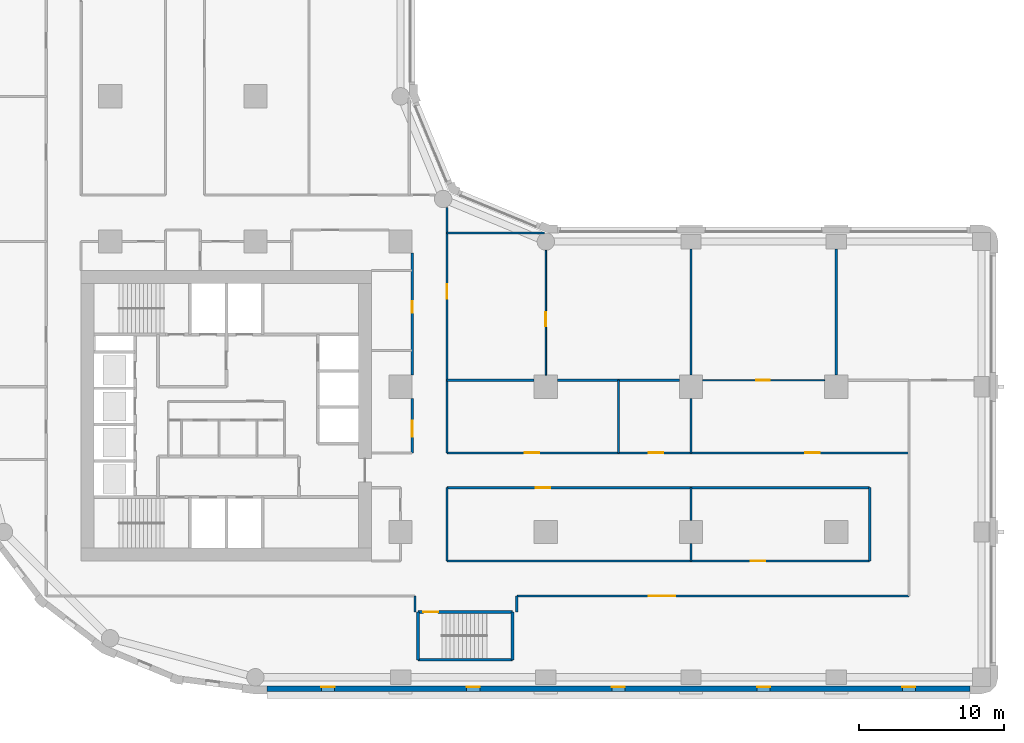
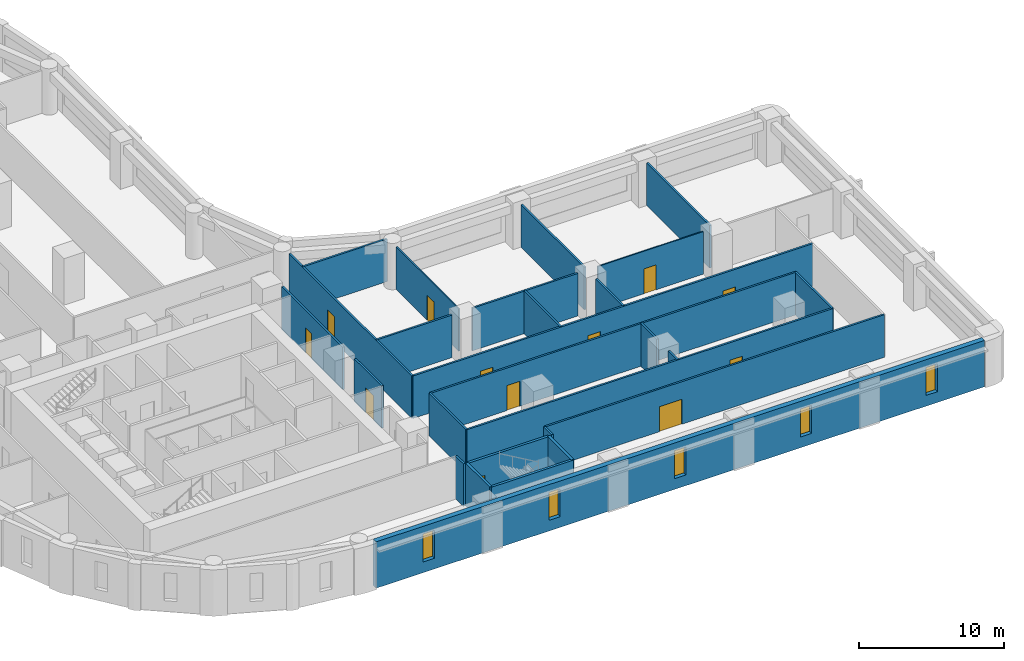
# One storey, part 4 of 10: 27 walls, 12 doors, 5 windows, 17 openings.
"""IFC4 building model written with IfcOpenShell, lengths in metres."""

from ifc_helpers import new_model, si_unit, direction, frame, frame_2d, origin, place, context, subcontext, project, spatial, rectangle, extrude, material, layer, layer_set, type_object, element, fill, save


model = new_model("IFC4")

# Units and contexts
model_context = context("Model", 3, precision=1e-05, world=origin(), true_north=direction((0.0, 1.0)))
body_context = subcontext(model_context, "Body", "Model", "MODEL_VIEW")
ifc_project = project(units=[si_unit("LENGTHUNIT", "METRE"), si_unit("AREAUNIT", "SQUARE_METRE"), si_unit("VOLUMEUNIT", "CUBIC_METRE"), si_unit("PLANEANGLEUNIT", "RADIAN"), si_unit("MASSUNIT", "GRAM", prefix="KILO")], contexts=[model_context])

# Site, building, storey
site_placement = place(None, origin())
site = spatial("IfcSite", under=ifc_project, at=site_placement, CompositionType="ELEMENT")
building_placement = place(site_placement, origin())
building = spatial("IfcBuilding", under=site, at=building_placement, Name="Qaws Garden Tower", CompositionType="ELEMENT")
storey_placement = place(building_placement, frame((0.0, 0.0, 70.5)))
storey = spatial("IfcBuildingStorey", under=building, at=storey_placement, Name="L17", CompositionType="ELEMENT", Elevation=70.5)

# Wall, openings, windows
ifc_material_1 = material(Name="Clay facing brick masonry", Category="masonry")
ifc_layer_1 = layer(ifc_material_1, 0.39990234375)
ifc_layer_set_1 = layer_set([ifc_layer_1], Name="Clay facing brick masonry")
wall_type_1 = type_object("IfcWallType", Name="Brick infill wall 400", PredefinedType="SOLIDWALL", material=ifc_layer_set_1)
wall_1_placement = place(storey_placement, frame((20.800048828125, -0.800048828125, 0.0), z_axis=(0.0, 0.0, 1.0), x_axis=(1.0, 0.0, 0.0)))
wall_1 = element("IfcWall", 1, at=wall_1_placement, inside=storey, type_object=wall_type_1, Name="E-L17-infill-00", PredefinedType="SOLIDWALL", context=body_context, shape_type="SweptSolid", body=[
    extrude(rectangle(XDim=48.39990234375, YDim=0.39990234375, at=frame_2d((24.199951171875, 0.0))), origin(), (0.0, 0.0, 1.0), 3.89990234375),
])
opening_1_placement = place(wall_1_placement, frame((3.75, 0.0, 0.89990234375)))
opening_1 = element("IfcOpeningElement", 2, at=opening_1_placement, cuts=wall_1, Name="Opening W09", PredefinedType="OPENING", context=body_context, shape_type="SweptSolid", body=[
    extrude(rectangle(XDim=0.89990234375, YDim=2.35009765625, at=frame_2d((0.449951171875, 1.175048828125))), frame((0.0, 0.2099609375, 0.0), z_axis=(0.0, -1.0, 0.0), x_axis=(1.0, 0.0, 0.0)), (0.0, 0.0, 1.0), 0.419921875),
])
opening_2_placement = place(wall_1_placement, frame((13.75, 0.0, 0.89990234375)))
opening_2 = element("IfcOpeningElement", 3, at=opening_2_placement, cuts=wall_1, Name="Opening W09", PredefinedType="OPENING", context=body_context, shape_type="SweptSolid", body=[
    extrude(rectangle(XDim=0.89990234375, YDim=2.35009765625, at=frame_2d((0.449951171875, 1.175048828125))), frame((0.0, 0.2099609375, 0.0), z_axis=(0.0, -1.0, 0.0), x_axis=(1.0, 0.0, 0.0)), (0.0, 0.0, 1.0), 0.419921875),
])
opening_3_placement = place(wall_1_placement, frame((23.75, 0.0, 0.89990234375)))
opening_3 = element("IfcOpeningElement", 4, at=opening_3_placement, cuts=wall_1, Name="Opening W09", PredefinedType="OPENING", context=body_context, shape_type="SweptSolid", body=[
    extrude(rectangle(XDim=0.89990234375, YDim=2.35009765625, at=frame_2d((0.449951171875, 1.175048828125))), frame((0.0, 0.2099609375, 0.0), z_axis=(0.0, -1.0, 0.0), x_axis=(1.0, 0.0, 0.0)), (0.0, 0.0, 1.0), 0.419921875),
])
opening_4_placement = place(wall_1_placement, frame((33.75, 0.0, 0.89990234375)))
opening_4 = element("IfcOpeningElement", 5, at=opening_4_placement, cuts=wall_1, Name="Opening W09", PredefinedType="OPENING", context=body_context, shape_type="SweptSolid", body=[
    extrude(rectangle(XDim=0.89990234375, YDim=2.35009765625, at=frame_2d((0.449951171875, 1.175048828125))), frame((0.0, 0.2099609375, 0.0), z_axis=(0.0, -1.0, 0.0), x_axis=(1.0, 0.0, 0.0)), (0.0, 0.0, 1.0), 0.419921875),
])
opening_5_placement = place(wall_1_placement, frame((43.75, 0.0, 0.89990234375)))
opening_5 = element("IfcOpeningElement", 6, at=opening_5_placement, cuts=wall_1, Name="Opening W09", PredefinedType="OPENING", context=body_context, shape_type="SweptSolid", body=[
    extrude(rectangle(XDim=0.89990234375, YDim=2.35009765625, at=frame_2d((0.449951171875, 1.175048828125))), frame((0.0, 0.2099609375, 0.0), z_axis=(0.0, -1.0, 0.0), x_axis=(1.0, 0.0, 0.0)), (0.0, 0.0, 1.0), 0.419921875),
])
ifc_material_2 = material(Name="Aluminium framed window, clear glazing", Category="aluminium")
window_type = type_object("IfcWindowType", Name="Slit window 900 x 2350", PartitioningType="SINGLE_PANEL", PredefinedType="WINDOW", material=ifc_material_2)
window_1_placement = place(opening_1_placement, origin())
window_1 = element("IfcWindow", 7, at=window_1_placement, inside=storey, type_object=window_type, Name="E-L17-window-00-0", OverallHeight=2.35009765625, OverallWidth=0.89990234375, PartitioningType="SINGLE_PANEL", PredefinedType="WINDOW", context=body_context, shape_type="SweptSolid", body=[
    extrude(rectangle(XDim=0.89990234375, YDim=2.35009765625, at=frame_2d((0.449951171875, 1.175048828125))), frame((0.0, 0.159912109375, 0.0), z_axis=(0.0, -1.0, 0.0), x_axis=(1.0, 0.0, 0.0)), (0.0, 0.0, 1.0), 0.06005859375),
])
fill(opening_1, window_1)
window_2_placement = place(opening_2_placement, origin())
window_2 = element("IfcWindow", 8, at=window_2_placement, inside=storey, type_object=window_type, Name="E-L17-window-01-0", OverallHeight=2.35009765625, OverallWidth=0.89990234375, PartitioningType="SINGLE_PANEL", PredefinedType="WINDOW", context=body_context, shape_type="SweptSolid", body=[
    extrude(rectangle(XDim=0.89990234375, YDim=2.35009765625, at=frame_2d((0.449951171875, 1.175048828125))), frame((0.0, 0.159912109375, 0.0), z_axis=(0.0, -1.0, 0.0), x_axis=(1.0, 0.0, 0.0)), (0.0, 0.0, 1.0), 0.06005859375),
])
fill(opening_2, window_2)
window_3_placement = place(opening_3_placement, origin())
window_3 = element("IfcWindow", 9, at=window_3_placement, inside=storey, type_object=window_type, Name="E-L17-window-02-0", OverallHeight=2.35009765625, OverallWidth=0.89990234375, PartitioningType="SINGLE_PANEL", PredefinedType="WINDOW", context=body_context, shape_type="SweptSolid", body=[
    extrude(rectangle(XDim=0.89990234375, YDim=2.35009765625, at=frame_2d((0.449951171875, 1.175048828125))), frame((0.0, 0.159912109375, 0.0), z_axis=(0.0, -1.0, 0.0), x_axis=(1.0, 0.0, 0.0)), (0.0, 0.0, 1.0), 0.06005859375),
])
fill(opening_3, window_3)
window_4_placement = place(opening_4_placement, origin())
window_4 = element("IfcWindow", 10, at=window_4_placement, inside=storey, type_object=window_type, Name="E-L17-window-03-0", OverallHeight=2.35009765625, OverallWidth=0.89990234375, PartitioningType="SINGLE_PANEL", PredefinedType="WINDOW", context=body_context, shape_type="SweptSolid", body=[
    extrude(rectangle(XDim=0.89990234375, YDim=2.35009765625, at=frame_2d((0.449951171875, 1.175048828125))), frame((0.0, 0.159912109375, 0.0), z_axis=(0.0, -1.0, 0.0), x_axis=(1.0, 0.0, 0.0)), (0.0, 0.0, 1.0), 0.06005859375),
])
fill(opening_4, window_4)
window_5_placement = place(opening_5_placement, origin())
window_5 = element("IfcWindow", 11, at=window_5_placement, inside=storey, type_object=window_type, Name="E-L17-window-04-0", OverallHeight=2.35009765625, OverallWidth=0.89990234375, PartitioningType="SINGLE_PANEL", PredefinedType="WINDOW", context=body_context, shape_type="SweptSolid", body=[
    extrude(rectangle(XDim=0.89990234375, YDim=2.35009765625, at=frame_2d((0.449951171875, 1.175048828125))), frame((0.0, 0.159912109375, 0.0), z_axis=(0.0, -1.0, 0.0), x_axis=(1.0, 0.0, 0.0)), (0.0, 0.0, 1.0), 0.06005859375),
])
fill(opening_5, window_5)

# Wall
ifc_material_3 = material(Name="Concrete C80", Category="concrete")
ifc_layer_2 = layer(ifc_material_3, 0.199951171875)
ifc_layer_set_2 = layer_set([ifc_layer_2], Name="Concrete C80")
wall_type_2 = type_object("IfcWallType", Name="Core shaft wall 200 C80", PredefinedType="SHEAR", material=ifc_layer_set_2)
wall_2_placement = place(storey_placement, frame((31.199951171875, 1.199951171875, 0.0), z_axis=(0.0, 0.0, 1.0), x_axis=(1.0, 0.0, 0.0)))
element("IfcWall", 12, at=wall_2_placement, inside=storey, type_object=wall_type_2, Name="Shaft wall", PredefinedType="SHEAR", context=body_context, shape_type="SweptSolid", body=[
    extrude(rectangle(XDim=6.5, YDim=0.199951171875, at=frame_2d((3.25, 0.0))), origin(), (0.0, 0.0, 1.0), 3.580078125),
])

# Wall, opening, door
wall_3_placement = place(storey_placement, frame((31.199951171875, 4.5, 0.0), z_axis=(0.0, 0.0, 1.0), x_axis=(1.0, 0.0, 0.0)))
wall_3 = element("IfcWall", 13, at=wall_3_placement, inside=storey, type_object=wall_type_2, Name="Shaft wall", PredefinedType="SHEAR", context=body_context, shape_type="SweptSolid", body=[
    extrude(rectangle(XDim=6.5, YDim=0.199951171875, at=frame_2d((3.25, 0.0))), origin(), (0.0, 0.0, 1.0), 3.580078125),
])
opening_6_placement = place(wall_3_placement, frame((0.375, 0.0, 0.0)))
opening_6 = element("IfcOpeningElement", 14, at=opening_6_placement, cuts=wall_3, Name="Opening SD12", PredefinedType="OPENING", context=body_context, shape_type="SweptSolid", body=[
    extrude(rectangle(XDim=1.0, YDim=2.10009765625, at=frame_2d((0.5, 1.050048828125))), frame((0.0, 0.10986328125, 0.0), z_axis=(0.0, -1.0, 0.0), x_axis=(1.0, 0.0, 0.0)), (0.0, 0.0, 1.0), 0.219970703125),
])
ifc_material_4 = material(Name="Steel S235", Category="steel")
door_type_1 = type_object("IfcDoorType", Name="Stair door 1000x2100", OperationType="SINGLE_SWING_RIGHT", PredefinedType="DOOR", material=ifc_material_4)
door_1_placement = place(opening_6_placement, frame((1.0, 0.0, 0.0), z_axis=(0.0, 0.0, 1.0), x_axis=(-1.0, 0.0, 0.0)))
door_1 = element("IfcDoor", 15, at=door_1_placement, inside=storey, type_object=door_type_1, Name="Stair 5 door", OperationType="SINGLE_SWING_RIGHT", OverallHeight=2.10009765625, OverallWidth=1.0, PredefinedType="DOOR", context=body_context, shape_type="SweptSolid", body=[
    extrude(rectangle(XDim=1.0, YDim=2.10009765625, at=frame_2d((0.5, 1.050048828125))), frame((0.0, 0.02490234375, 0.0), z_axis=(0.0, -1.0, 0.0), x_axis=(1.0, 0.0, 0.0)), (0.0, 0.0, 1.0), 0.050048828125),
])
fill(opening_6, door_1)

# Walls
for number, where, z_axis, x_axis, name in (
    (16, (31.199951171875, 1.199951171875, 0.0), (0.0, 0.0, 1.0), (0.0, 1.0, 0.0), "Shaft wall"),
    (17, (37.699951171875, 1.199951171875, 0.0), (0.0, 0.0, 1.0), (0.0, 1.0, 0.0), "Shaft wall"),
):
    element("IfcWall", number, at=place(storey_placement, frame(where, z_axis=z_axis, x_axis=x_axis)), inside=storey, type_object=wall_type_2, Name=name, PredefinedType="SHEAR", context=body_context, shape_type="SweptSolid", body=[
        extrude(rectangle(XDim=3.300048828125, YDim=0.199951171875, at=frame_2d((1.64990234375, 0.0))), origin(), (0.0, 0.0, 1.0), 3.580078125),
    ])

# Wall, opening, door
ifc_material_5 = material(Name="Gypsum board partition")
ifc_layer_3 = layer(ifc_material_5, 0.10009765625)
ifc_layer_set_3 = layer_set([ifc_layer_3], Name="Gypsum board partition")
wall_type_3 = type_object("IfcWallType", Name="PARTITION 100", PredefinedType="PARTITIONING", material=ifc_layer_set_3)
wall_4_placement = place(storey_placement, frame((40.0, 20.800048828125, 0.0), z_axis=(0.0, 0.0, 1.0), x_axis=(0.0, 1.0, 0.0)))
wall_4 = element("IfcWall", 18, at=wall_4_placement, inside=storey, type_object=wall_type_3, Name="O-L17-wall-001", PredefinedType="PARTITIONING", context=body_context, shape_type="SweptSolid", body=[
    extrude(rectangle(XDim=8.599853515625, YDim=0.10009765625, at=frame_2d((4.2998046875, 0.0))), origin(), (0.0, 0.0, 1.0), 3.580078125),
])
opening_7_placement = place(wall_4_placement, frame((3.375, 0.0, 0.0)))
opening_7 = element("IfcOpeningElement", 19, at=opening_7_placement, cuts=wall_4, Name="Opening A626", PredefinedType="OPENING", context=body_context, shape_type="SweptSolid", body=[
    extrude(rectangle(XDim=0.949951171875, YDim=2.10009765625, at=frame_2d((0.47509765625, 1.050048828125))), frame((0.0, 0.06005859375, 0.0), z_axis=(0.0, -1.0, 0.0), x_axis=(1.0, 0.0, 0.0)), (0.0, 0.0, 1.0), 0.1201171875),
])
ifc_material_6 = material(Name="Timber and glass door leaf", Category="wood")
door_type_2 = type_object("IfcDoorType", Name="GLAZED DOOR 950 X 2100", OperationType="SINGLE_SWING_LEFT", PredefinedType="DOOR", material=ifc_material_6)
door_2_placement = place(opening_7_placement, origin())
door_2 = element("IfcDoor", 20, at=door_2_placement, inside=storey, type_object=door_type_2, Name="O-L17-door-026", OperationType="SINGLE_SWING_RIGHT", OverallHeight=2.10009765625, OverallWidth=0.949951171875, PredefinedType="DOOR", context=body_context, shape_type="SweptSolid", body=[
    extrude(rectangle(XDim=0.949951171875, YDim=2.10009765625, at=frame_2d((0.47509765625, 1.050048828125))), frame((0.0, 0.02490234375, 0.0), z_axis=(0.0, -1.0, 0.0), x_axis=(1.0, 0.0, 0.0)), (0.0, 0.0, 1.0), 0.050048828125),
])
fill(opening_7, door_2)

wall_5_placement = place(storey_placement, frame((50.800048828125, 20.449951171875, 0.0), z_axis=(0.0, 0.0, 1.0), x_axis=(1.0, 0.0, 0.0)))
wall_5 = element("IfcWall", 21, at=wall_5_placement, inside=storey, type_object=wall_type_3, Name="O-L17-wall-002", PredefinedType="PARTITIONING", context=body_context, shape_type="SweptSolid", body=[
    extrude(rectangle(XDim=8.39990234375, YDim=0.10009765625, at=frame_2d((4.199951171875, 0.0))), origin(), (0.0, 0.0, 1.0), 3.580078125),
])
opening_8_placement = place(wall_5_placement, frame((3.675048828125, 0.0, 0.0)))
opening_8 = element("IfcOpeningElement", 22, at=opening_8_placement, cuts=wall_5, Name="Opening A627", PredefinedType="OPENING", context=body_context, shape_type="SweptSolid", body=[
    extrude(rectangle(XDim=0.949951171875, YDim=2.10009765625, at=frame_2d((0.47509765625, 1.050048828125))), frame((0.0, 0.06005859375, 0.0), z_axis=(0.0, -1.0, 0.0), x_axis=(1.0, 0.0, 0.0)), (0.0, 0.0, 1.0), 0.1201171875),
])
door_3_placement = place(opening_8_placement, frame((0.949951171875, 0.0, 0.0), z_axis=(0.0, 0.0, 1.0), x_axis=(-1.0, 0.0, 0.0)))
door_3 = element("IfcDoor", 23, at=door_3_placement, inside=storey, type_object=door_type_2, Name="O-L17-door-027", OperationType="SINGLE_SWING_RIGHT", OverallHeight=2.10009765625, OverallWidth=0.949951171875, PredefinedType="DOOR", context=body_context, shape_type="SweptSolid", body=[
    extrude(rectangle(XDim=0.949951171875, YDim=2.10009765625, at=frame_2d((0.47509765625, 1.050048828125))), frame((0.0, 0.02490234375, 0.0), z_axis=(0.0, -1.0, 0.0), x_axis=(1.0, 0.0, 0.0)), (0.0, 0.0, 1.0), 0.050048828125),
])
fill(opening_8, door_3)

ifc_material_7 = material(Name="Gypsum board partition")
ifc_layer_4 = layer(ifc_material_7, 0.14990234375)
ifc_layer_set_4 = layer_set([ifc_layer_4], Name="Gypsum board partition")
wall_type_4 = type_object("IfcWallType", Name="PARTITION 150 EI 60", PredefinedType="PARTITIONING", material=ifc_layer_set_4)
wall_6_placement = place(storey_placement, frame((30.800048828125, 15.449951171875, 0.0), z_axis=(0.0, 0.0, 1.0), x_axis=(0.0, 1.0, 0.0)))
wall_6 = element("IfcWall", 24, at=wall_6_placement, inside=storey, type_object=wall_type_4, Name="O-L17-wall-019", PredefinedType="PARTITIONING", context=body_context, shape_type="SweptSolid", body=[
    extrude(rectangle(XDim=3.75, YDim=0.14990234375, at=frame_2d((1.875, 0.0))), origin(), (0.0, 0.0, 1.0), 3.580078125),
])
opening_9_placement = place(wall_6_placement, frame((1.10009765625, 0.0, 0.0)))
opening_9 = element("IfcOpeningElement", 25, at=opening_9_placement, cuts=wall_6, Name="Opening A607", PredefinedType="OPENING", context=body_context, shape_type="SweptSolid", body=[
    extrude(rectangle(XDim=1.10009765625, YDim=2.10009765625, at=frame_2d((0.550048828125, 1.050048828125))), frame((0.0, 0.0849609375, 0.0), z_axis=(0.0, -1.0, 0.0), x_axis=(1.0, 0.0, 0.0)), (0.0, 0.0, 1.0), 0.169921875),
])
ifc_material_8 = material(Name="Timber door leaf", Category="wood")
door_type_3 = type_object("IfcDoorType", Name="SERVICE ROOM DOOR 1100 X 2100", OperationType="SINGLE_SWING_LEFT", PredefinedType="DOOR", material=ifc_material_8)
door_4_placement = place(opening_9_placement, origin())
door_4 = element("IfcDoor", 26, at=door_4_placement, inside=storey, type_object=door_type_3, Name="O-L17-door-007", OperationType="SINGLE_SWING_LEFT", OverallHeight=2.10009765625, OverallWidth=1.10009765625, PredefinedType="DOOR", context=body_context, shape_type="SweptSolid", body=[
    extrude(rectangle(XDim=1.10009765625, YDim=2.10009765625, at=frame_2d((0.550048828125, 1.050048828125))), frame((0.0, 0.02490234375, 0.0), z_axis=(0.0, -1.0, 0.0), x_axis=(1.0, 0.0, 0.0)), (0.0, 0.0, 1.0), 0.050048828125),
])
fill(opening_9, door_4)

wall_7_placement = place(storey_placement, frame((30.800048828125, 20.800048828125, 0.0), z_axis=(0.0, 0.0, 1.0), x_axis=(0.0, 1.0, 0.0)))
wall_7 = element("IfcWall", 27, at=wall_7_placement, inside=storey, type_object=wall_type_4, Name="O-L17-wall-020", PredefinedType="PARTITIONING", context=body_context, shape_type="SweptSolid", body=[
    extrude(rectangle(XDim=8.39990234375, YDim=0.14990234375, at=frame_2d((4.199951171875, 0.0))), origin(), (0.0, 0.0, 1.0), 3.580078125),
])
opening_10_placement = place(wall_7_placement, frame((4.300048828125, 0.0, 0.0)))
opening_10 = element("IfcOpeningElement", 28, at=opening_10_placement, cuts=wall_7, Name="Opening A608", PredefinedType="OPENING", context=body_context, shape_type="SweptSolid", body=[
    extrude(rectangle(XDim=0.800048828125, YDim=2.10009765625, at=frame_2d((0.39990234375, 1.050048828125))), frame((0.0, 0.0849609375, 0.0), z_axis=(0.0, -1.0, 0.0), x_axis=(1.0, 0.0, 0.0)), (0.0, 0.0, 1.0), 0.169921875),
])
ifc_material_9 = material(Name="Timber door leaf", Category="wood")
door_type_4 = type_object("IfcDoorType", Name="STORE DOOR 800 X 2100", OperationType="SINGLE_SWING_LEFT", PredefinedType="DOOR", material=ifc_material_9)
door_5_placement = place(opening_10_placement, origin())
door_5 = element("IfcDoor", 29, at=door_5_placement, inside=storey, type_object=door_type_4, Name="O-L17-door-008", OperationType="SINGLE_SWING_RIGHT", OverallHeight=2.10009765625, OverallWidth=0.800048828125, PredefinedType="DOOR", context=body_context, shape_type="SweptSolid", body=[
    extrude(rectangle(XDim=0.800048828125, YDim=2.10009765625, at=frame_2d((0.39990234375, 1.050048828125))), frame((0.0, 0.02490234375, 0.0), z_axis=(0.0, -1.0, 0.0), x_axis=(1.0, 0.0, 0.0)), (0.0, 0.0, 1.0), 0.050048828125),
])
fill(opening_10, door_5)

# Walls
wall_8_placement = place(storey_placement, frame((31.0, 4.5, 0.0), z_axis=(0.0, 0.0, 1.0), x_axis=(0.0, 1.0, 0.0)))
element("IfcWall", 30, at=wall_8_placement, inside=storey, type_object=wall_type_4, Name="O-L17-wall-021", PredefinedType="PARTITIONING", context=body_context, shape_type="SweptSolid", body=[
    extrude(rectangle(XDim=1.10009765625, YDim=0.14990234375, at=frame_2d((0.550048828125, 0.0))), origin(), (0.0, 0.0, 1.0), 3.580078125),
])
wall_9_placement = place(storey_placement, frame((33.199951171875, 8.0, 0.0), z_axis=(0.0, 0.0, 1.0), x_axis=(0.0, 1.0, 0.0)))
element("IfcWall", 31, at=wall_9_placement, inside=storey, type_object=wall_type_4, Name="O-L17-wall-022", PredefinedType="PARTITIONING", context=body_context, shape_type="SweptSolid", body=[
    extrude(rectangle(XDim=5.050048828125, YDim=0.14990234375, at=frame_2d((2.52490234375, 0.0))), origin(), (0.0, 0.0, 1.0), 3.580078125),
])

# Wall, opening, door
wall_10_placement = place(storey_placement, frame((33.199951171875, 15.449951171875, 0.0), z_axis=(0.0, 0.0, 1.0), x_axis=(0.0, 1.0, 0.0)))
wall_10 = element("IfcWall", 32, at=wall_10_placement, inside=storey, type_object=wall_type_4, Name="O-L17-wall-023", PredefinedType="PARTITIONING", context=body_context, shape_type="SweptSolid", body=[
    extrude(rectangle(XDim=16.912109375, YDim=0.14990234375, at=frame_2d((8.4560546875, 0.0))), origin(), (0.0, 0.0, 1.0), 3.580078125),
])
opening_11_placement = place(wall_10_placement, frame((10.60009765625, 0.0, 0.0)))
opening_11 = element("IfcOpeningElement", 33, at=opening_11_placement, cuts=wall_10, Name="Opening A605", PredefinedType="OPENING", context=body_context, shape_type="SweptSolid", body=[
    extrude(rectangle(XDim=1.0, YDim=2.10009765625, at=frame_2d((0.5, 1.050048828125))), frame((0.0, 0.0849609375, 0.0), z_axis=(0.0, -1.0, 0.0), x_axis=(1.0, 0.0, 0.0)), (0.0, 0.0, 1.0), 0.169921875),
])
ifc_material_10 = material(Name="Timber door leaf", Category="wood")
door_type_5 = type_object("IfcDoorType", Name="TENANCY ENTRANCE DOOR 1000 X 2100", OperationType="SINGLE_SWING_LEFT", PredefinedType="DOOR", material=ifc_material_10)
door_6_placement = place(opening_11_placement, frame((1.0, 0.0, 0.0), z_axis=(0.0, 0.0, 1.0), x_axis=(-1.0, 0.0, 0.0)))
door_6 = element("IfcDoor", 34, at=door_6_placement, inside=storey, type_object=door_type_5, Name="O-L17-door-005", OperationType="SINGLE_SWING_LEFT", OverallHeight=2.10009765625, OverallWidth=1.0, PredefinedType="DOOR", context=body_context, shape_type="SweptSolid", body=[
    extrude(rectangle(XDim=1.0, YDim=2.10009765625, at=frame_2d((0.5, 1.050048828125))), frame((0.0, 0.02490234375, 0.0), z_axis=(0.0, -1.0, 0.0), x_axis=(1.0, 0.0, 0.0)), (0.0, 0.0, 1.0), 0.050048828125),
])
fill(opening_11, door_6)

# Walls
wall_11_placement = place(storey_placement, frame((38.0, 4.5, 0.0), z_axis=(0.0, 0.0, 1.0), x_axis=(0.0, 1.0, 0.0)))
element("IfcWall", 35, at=wall_11_placement, inside=storey, type_object=wall_type_4, Name="O-L17-wall-024", PredefinedType="PARTITIONING", context=body_context, shape_type="SweptSolid", body=[
    extrude(rectangle(XDim=1.10009765625, YDim=0.14990234375, at=frame_2d((0.550048828125, 0.0))), origin(), (0.0, 0.0, 1.0), 3.580078125),
])
wall_12_placement = place(storey_placement, frame((45.0, 15.449951171875, 0.0), z_axis=(0.0, 0.0, 1.0), x_axis=(0.0, 1.0, 0.0)))
element("IfcWall", 36, at=wall_12_placement, inside=storey, type_object=wall_type_4, Name="O-L17-wall-025", PredefinedType="PARTITIONING", context=body_context, shape_type="SweptSolid", body=[
    extrude(rectangle(XDim=5.0, YDim=0.14990234375, at=frame_2d((2.5, 0.0))), origin(), (0.0, 0.0, 1.0), 3.580078125),
])
wall_13_placement = place(storey_placement, frame((50.0, 8.0, 0.0), z_axis=(0.0, 0.0, 1.0), x_axis=(0.0, 1.0, 0.0)))
element("IfcWall", 37, at=wall_13_placement, inside=storey, type_object=wall_type_4, Name="O-L17-wall-026", PredefinedType="PARTITIONING", context=body_context, shape_type="SweptSolid", body=[
    extrude(rectangle(XDim=1.199951171875, YDim=0.14990234375, at=frame_2d((0.60009765625, 0.0))), origin(), (0.0, 0.0, 1.0), 3.580078125),
])
wall_14_placement = place(storey_placement, frame((50.0, 10.800048828125, 0.0), z_axis=(0.0, 0.0, 1.0), x_axis=(0.0, 1.0, 0.0)))
element("IfcWall", 38, at=wall_14_placement, inside=storey, type_object=wall_type_4, Name="O-L17-wall-027", PredefinedType="PARTITIONING", context=body_context, shape_type="SweptSolid", body=[
    extrude(rectangle(XDim=2.25, YDim=0.14990234375, at=frame_2d((1.125, 0.0))), origin(), (0.0, 0.0, 1.0), 3.580078125),
])
wall_15_placement = place(storey_placement, frame((50.0, 15.449951171875, 0.0), z_axis=(0.0, 0.0, 1.0), x_axis=(0.0, 1.0, 0.0)))
element("IfcWall", 39, at=wall_15_placement, inside=storey, type_object=wall_type_4, Name="O-L17-wall-028", PredefinedType="PARTITIONING", context=body_context, shape_type="SweptSolid", body=[
    extrude(rectangle(XDim=3.75, YDim=0.14990234375, at=frame_2d((1.875, 0.0))), origin(), (0.0, 0.0, 1.0), 3.580078125),
])
for number, where, z_axis, x_axis, name in (
    (40, (50.0, 20.800048828125, 0.0), (0.0, 0.0, 1.0), (0.0, 1.0, 0.0), "O-L17-wall-029"),
    (41, (60.0, 20.800048828125, 0.0), (0.0, 0.0, 1.0), (0.0, 1.0, 0.0), "O-L17-wall-030"),
):
    element("IfcWall", number, at=place(storey_placement, frame(where, z_axis=z_axis, x_axis=x_axis)), inside=storey, type_object=wall_type_4, Name=name, PredefinedType="PARTITIONING", context=body_context, shape_type="SweptSolid", body=[
        extrude(rectangle(XDim=8.699951171875, YDim=0.14990234375, at=frame_2d((4.35009765625, 0.0))), origin(), (0.0, 0.0, 1.0), 3.580078125),
    ])
wall_16_placement = place(storey_placement, frame((62.300048828125, 8.0, 0.0), z_axis=(0.0, 0.0, 1.0), x_axis=(0.0, 1.0, 0.0)))
element("IfcWall", 42, at=wall_16_placement, inside=storey, type_object=wall_type_4, Name="O-L17-wall-031", PredefinedType="PARTITIONING", context=body_context, shape_type="SweptSolid", body=[
    extrude(rectangle(XDim=5.050048828125, YDim=0.14990234375, at=frame_2d((2.52490234375, 0.0))), origin(), (0.0, 0.0, 1.0), 3.580078125),
])

# Wall, opening, door
wall_17_placement = place(storey_placement, frame((38.0, 5.60009765625, 0.0), z_axis=(0.0, 0.0, 1.0), x_axis=(1.0, 0.0, 0.0)))
wall_17 = element("IfcWall", 43, at=wall_17_placement, inside=storey, type_object=wall_type_4, Name="O-L17-wall-034", PredefinedType="PARTITIONING", context=body_context, shape_type="SweptSolid", body=[
    extrude(rectangle(XDim=27.0, YDim=0.14990234375, at=frame_2d((13.5, 0.0))), origin(), (0.0, 0.0, 1.0), 3.580078125),
])
opening_12_placement = place(wall_17_placement, frame((9.10009765625, 0.0, 0.0)))
opening_12 = element("IfcOpeningElement", 44, at=opening_12_placement, cuts=wall_17, Name="Opening A622", PredefinedType="OPENING", context=body_context, shape_type="SweptSolid", body=[
    extrude(rectangle(XDim=1.800048828125, YDim=2.10009765625, at=frame_2d((0.89990234375, 1.050048828125))), frame((0.0, 0.0849609375, 0.0), z_axis=(0.0, -1.0, 0.0), x_axis=(1.0, 0.0, 0.0)), (0.0, 0.0, 1.0), 0.169921875),
])
ifc_material_11 = material(Name="Timber door leaf", Category="wood")
door_type_6 = type_object("IfcDoorType", Name="DOUBLE DOOR 1800 X 2100", OperationType="DOUBLE_DOOR_SINGLE_SWING", PredefinedType="DOOR", material=ifc_material_11)
door_7_placement = place(opening_12_placement, frame((1.800048828125, 0.0, 0.0), z_axis=(0.0, 0.0, 1.0), x_axis=(-1.0, 0.0, 0.0)))
door_7 = element("IfcDoor", 45, at=door_7_placement, inside=storey, type_object=door_type_6, Name="O-L17-door-022", OperationType="DOUBLE_DOOR_SINGLE_SWING", OverallHeight=2.10009765625, OverallWidth=1.800048828125, PredefinedType="DOOR", context=body_context, shape_type="SweptSolid", body=[
    extrude(rectangle(XDim=1.800048828125, YDim=2.10009765625, at=frame_2d((0.89990234375, 1.050048828125))), frame((0.0, 0.02490234375, 0.0), z_axis=(0.0, -1.0, 0.0), x_axis=(1.0, 0.0, 0.0)), (0.0, 0.0, 1.0), 0.050048828125),
])
fill(opening_12, door_7)

wall_18_placement = place(storey_placement, frame((33.199951171875, 8.0, 0.0), z_axis=(0.0, 0.0, 1.0), x_axis=(1.0, 0.0, 0.0)))
wall_18 = element("IfcWall", 46, at=wall_18_placement, inside=storey, type_object=wall_type_4, Name="O-L17-wall-036", PredefinedType="PARTITIONING", context=body_context, shape_type="SweptSolid", body=[
    extrude(rectangle(XDim=29.10009765625, YDim=0.14990234375, at=frame_2d((14.550048828125, 0.0))), origin(), (0.0, 0.0, 1.0), 3.580078125),
])
opening_13_placement = place(wall_18_placement, frame((20.89990234375, 0.0, 0.0)))
opening_13 = element("IfcOpeningElement", 47, at=opening_13_placement, cuts=wall_18, Name="Opening A624", PredefinedType="OPENING", context=body_context, shape_type="SweptSolid", body=[
    extrude(rectangle(XDim=1.0, YDim=2.10009765625, at=frame_2d((0.5, 1.050048828125))), frame((0.0, 0.0849609375, 0.0), z_axis=(0.0, -1.0, 0.0), x_axis=(1.0, 0.0, 0.0)), (0.0, 0.0, 1.0), 0.169921875),
])
door_8_placement = place(opening_13_placement, origin())
door_8 = element("IfcDoor", 48, at=door_8_placement, inside=storey, type_object=door_type_5, Name="O-L17-door-024", OperationType="SINGLE_SWING_LEFT", OverallHeight=2.10009765625, OverallWidth=1.0, PredefinedType="DOOR", context=body_context, shape_type="SweptSolid", body=[
    extrude(rectangle(XDim=1.0, YDim=2.10009765625, at=frame_2d((0.5, 1.050048828125))), frame((0.0, 0.02490234375, 0.0), z_axis=(0.0, -1.0, 0.0), x_axis=(1.0, 0.0, 0.0)), (0.0, 0.0, 1.0), 0.050048828125),
])
fill(opening_13, door_8)

wall_19_placement = place(storey_placement, frame((33.199951171875, 13.050048828125, 0.0), z_axis=(0.0, 0.0, 1.0), x_axis=(1.0, 0.0, 0.0)))
wall_19 = element("IfcWall", 49, at=wall_19_placement, inside=storey, type_object=wall_type_4, Name="O-L17-wall-038", PredefinedType="PARTITIONING", context=body_context, shape_type="SweptSolid", body=[
    extrude(rectangle(XDim=29.10009765625, YDim=0.14990234375, at=frame_2d((14.550048828125, 0.0))), origin(), (0.0, 0.0, 1.0), 3.580078125),
])
opening_14_placement = place(wall_19_placement, frame((6.10009765625, 0.0, 0.0)))
opening_14 = element("IfcOpeningElement", 50, at=opening_14_placement, cuts=wall_19, Name="Opening A623", PredefinedType="OPENING", context=body_context, shape_type="SweptSolid", body=[
    extrude(rectangle(XDim=1.0, YDim=2.10009765625, at=frame_2d((0.5, 1.050048828125))), frame((0.0, 0.0849609375, 0.0), z_axis=(0.0, -1.0, 0.0), x_axis=(1.0, 0.0, 0.0)), (0.0, 0.0, 1.0), 0.169921875),
])
door_9_placement = place(opening_14_placement, frame((1.0, 0.0, 0.0), z_axis=(0.0, 0.0, 1.0), x_axis=(-1.0, 0.0, 0.0)))
door_9 = element("IfcDoor", 51, at=door_9_placement, inside=storey, type_object=door_type_5, Name="O-L17-door-023", OperationType="SINGLE_SWING_RIGHT", OverallHeight=2.10009765625, OverallWidth=1.0, PredefinedType="DOOR", context=body_context, shape_type="SweptSolid", body=[
    extrude(rectangle(XDim=1.0, YDim=2.10009765625, at=frame_2d((0.5, 1.050048828125))), frame((0.0, 0.02490234375, 0.0), z_axis=(0.0, -1.0, 0.0), x_axis=(1.0, 0.0, 0.0)), (0.0, 0.0, 1.0), 0.050048828125),
])
fill(opening_14, door_9)

# Wall, openings, doors
wall_20_placement = place(storey_placement, frame((33.199951171875, 15.449951171875, 0.0), z_axis=(0.0, 0.0, 1.0), x_axis=(1.0, 0.0, 0.0)))
wall_20 = element("IfcWall", 52, at=wall_20_placement, inside=storey, type_object=wall_type_4, Name="O-L17-wall-041", PredefinedType="PARTITIONING", context=body_context, shape_type="SweptSolid", body=[
    extrude(rectangle(XDim=31.800048828125, YDim=0.14990234375, at=frame_2d((15.89990234375, 0.0))), origin(), (0.0, 0.0, 1.0), 3.580078125),
])
opening_15_placement = place(wall_20_placement, frame((13.89990234375, 0.0, 0.0)))
opening_15 = element("IfcOpeningElement", 53, at=opening_15_placement, cuts=wall_20, Name="Opening A603", PredefinedType="OPENING", context=body_context, shape_type="SweptSolid", body=[
    extrude(rectangle(XDim=1.0, YDim=2.10009765625, at=frame_2d((0.5, 1.050048828125))), frame((0.0, 0.0849609375, 0.0), z_axis=(0.0, -1.0, 0.0), x_axis=(1.0, 0.0, 0.0)), (0.0, 0.0, 1.0), 0.169921875),
])
opening_16_placement = place(wall_20_placement, frame((24.64990234375, 0.0, 0.0)))
opening_16 = element("IfcOpeningElement", 54, at=opening_16_placement, cuts=wall_20, Name="Opening A604", PredefinedType="OPENING", context=body_context, shape_type="SweptSolid", body=[
    extrude(rectangle(XDim=1.0, YDim=2.10009765625, at=frame_2d((0.5, 1.050048828125))), frame((0.0, 0.0849609375, 0.0), z_axis=(0.0, -1.0, 0.0), x_axis=(1.0, 0.0, 0.0)), (0.0, 0.0, 1.0), 0.169921875),
])
opening_17_placement = place(wall_20_placement, frame((5.35009765625, 0.0, 0.0)))
opening_17 = element("IfcOpeningElement", 55, at=opening_17_placement, cuts=wall_20, Name="Opening A625", PredefinedType="OPENING", context=body_context, shape_type="SweptSolid", body=[
    extrude(rectangle(XDim=1.0, YDim=2.10009765625, at=frame_2d((0.5, 1.050048828125))), frame((0.0, 0.0849609375, 0.0), z_axis=(0.0, -1.0, 0.0), x_axis=(1.0, 0.0, 0.0)), (0.0, 0.0, 1.0), 0.169921875),
])
door_10_placement = place(opening_15_placement, origin())
door_10 = element("IfcDoor", 56, at=door_10_placement, inside=storey, type_object=door_type_5, Name="O-L17-door-003", OperationType="SINGLE_SWING_LEFT", OverallHeight=2.10009765625, OverallWidth=1.0, PredefinedType="DOOR", context=body_context, shape_type="SweptSolid", body=[
    extrude(rectangle(XDim=1.0, YDim=2.10009765625, at=frame_2d((0.5, 1.050048828125))), frame((0.0, 0.02490234375, 0.0), z_axis=(0.0, -1.0, 0.0), x_axis=(1.0, 0.0, 0.0)), (0.0, 0.0, 1.0), 0.050048828125),
])
fill(opening_15, door_10)
door_11_placement = place(opening_16_placement, origin())
door_11 = element("IfcDoor", 57, at=door_11_placement, inside=storey, type_object=door_type_5, Name="O-L17-door-004", OperationType="SINGLE_SWING_LEFT", OverallHeight=2.10009765625, OverallWidth=1.0, PredefinedType="DOOR", context=body_context, shape_type="SweptSolid", body=[
    extrude(rectangle(XDim=1.0, YDim=2.10009765625, at=frame_2d((0.5, 1.050048828125))), frame((0.0, 0.02490234375, 0.0), z_axis=(0.0, -1.0, 0.0), x_axis=(1.0, 0.0, 0.0)), (0.0, 0.0, 1.0), 0.050048828125),
])
fill(opening_16, door_11)
door_12_placement = place(opening_17_placement, origin())
door_12 = element("IfcDoor", 58, at=door_12_placement, inside=storey, type_object=door_type_5, Name="O-L17-door-025", OperationType="SINGLE_SWING_LEFT", OverallHeight=2.10009765625, OverallWidth=1.0, PredefinedType="DOOR", context=body_context, shape_type="SweptSolid", body=[
    extrude(rectangle(XDim=1.0, YDim=2.10009765625, at=frame_2d((0.5, 1.050048828125))), frame((0.0, 0.02490234375, 0.0), z_axis=(0.0, -1.0, 0.0), x_axis=(1.0, 0.0, 0.0)), (0.0, 0.0, 1.0), 0.050048828125),
])
fill(opening_17, door_12)

# Walls
wall_21_placement = place(storey_placement, frame((33.199951171875, 20.449951171875, 0.0), z_axis=(0.0, 0.0, 1.0), x_axis=(1.0, 0.0, 0.0)))
element("IfcWall", 59, at=wall_21_placement, inside=storey, type_object=wall_type_4, Name="O-L17-wall-043", PredefinedType="PARTITIONING", context=body_context, shape_type="SweptSolid", body=[
    extrude(rectangle(XDim=6.0, YDim=0.14990234375, at=frame_2d((3.0, 0.0))), origin(), (0.0, 0.0, 1.0), 3.580078125),
])
wall_22_placement = place(storey_placement, frame((40.800048828125, 20.449951171875, 0.0), z_axis=(0.0, 0.0, 1.0), x_axis=(1.0, 0.0, 0.0)))
element("IfcWall", 60, at=wall_22_placement, inside=storey, type_object=wall_type_4, Name="O-L17-wall-044", PredefinedType="PARTITIONING", context=body_context, shape_type="SweptSolid", body=[
    extrude(rectangle(XDim=8.39990234375, YDim=0.14990234375, at=frame_2d((4.199951171875, 0.0))), origin(), (0.0, 0.0, 1.0), 3.580078125),
])
wall_23_placement = place(storey_placement, frame((33.199951171875, 30.60009765625, 0.0), z_axis=(0.0, 0.0, 1.0), x_axis=(1.0, 0.0, 0.0)))
element("IfcWall", 61, at=wall_23_placement, inside=storey, type_object=wall_type_4, Name="O-L17-wall-053", PredefinedType="PARTITIONING", context=body_context, shape_type="SweptSolid", body=[
    extrude(rectangle(XDim=6.698974609375, YDim=0.14990234375, at=frame_2d((3.349609375, 0.0))), origin(), (0.0, 0.0, 1.0), 3.580078125),
])

save(model, "model.ifc")
